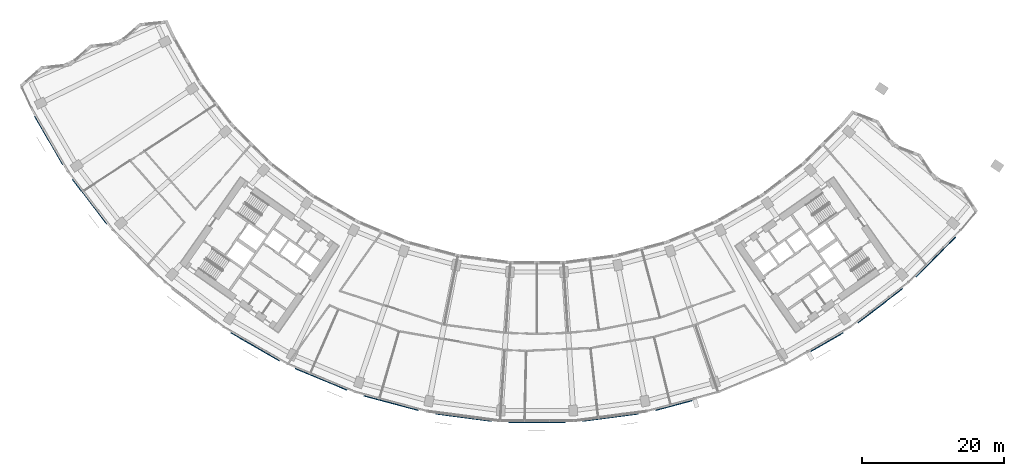
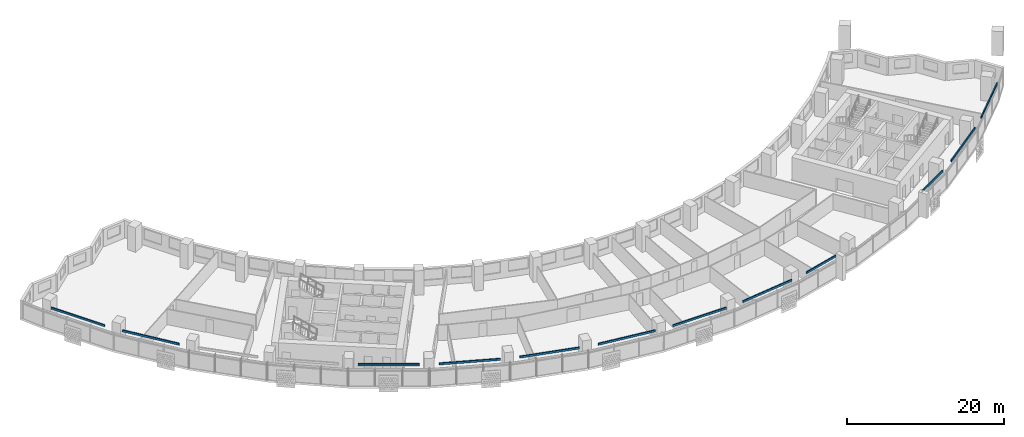
# One storey, part 9 of 29: 12 discrete accessories.
"""IFC4 building model written with IfcOpenShell, lengths in metres."""

from ifc_helpers import new_model, si_unit, direction, frame, origin, origin_2d, place, context, subcontext, project, spatial, rectangle, extrude, material, type_object, element, save


model = new_model("IFC4")

# Units and contexts
model_context = context("Model", 3, precision=1e-05, world=origin(), true_north=direction((0.0, 1.0)))
body_context = subcontext(model_context, "Body", "Model", "MODEL_VIEW")
ifc_project = project(units=[si_unit("LENGTHUNIT", "METRE"), si_unit("AREAUNIT", "SQUARE_METRE"), si_unit("VOLUMEUNIT", "CUBIC_METRE"), si_unit("PLANEANGLEUNIT", "RADIAN"), si_unit("MASSUNIT", "GRAM", prefix="KILO")], contexts=[model_context])

# Site, building, storey
site_placement = place(None, origin())
site = spatial("IfcSite", under=ifc_project, at=site_placement, CompositionType="ELEMENT")
building_placement = place(site_placement, origin())
building = spatial("IfcBuilding", under=site, at=building_placement, Name="Qamariyya Broadcast Tower", CompositionType="ELEMENT")
storey_placement = place(building_placement, frame((0.0, 0.0, 136.699951171875)))
storey = spatial("IfcBuildingStorey", under=building, at=storey_placement, Name="L31", CompositionType="ELEMENT", Elevation=136.699951171875)

# Discrete accessories
ifc_material = material(Name="Stainless steel 316", Category="steel")
discrete_accessory_type = type_object("IfcDiscreteAccessoryType", Name="Slab edge fixing angle, stainless steel", PredefinedType="BRACKET", material=ifc_material)
for number, where, z_axis, x_axis, name in (
    (1, (-68.59375, -39.6025390625, 3.2998046875), (0.0, 0.0, 1.0), (0.5, -0.866025403784, 0.0), "e-br-L31-01-0"),
    (2, (-62.837646484375, -48.217041015625, 3.2998046875), (0.0, 0.0, 1.0), (0.608761429009, -0.793353340291, 0.0), "e-br-L31-02-0"),
    (3, (-39.6025390625, -68.59375, 3.2998046875), (0.0, 0.0, 1.0), (0.866025403784, -0.5, 0.0), "e-br-L31-05-0"),
    (4, (-30.310546875, -73.176025390625, 3.2998046875), (0.0, 0.0, 1.0), (0.923879532511, -0.382683432365, 0.0), "e-br-L31-06-0"),
    (5, (-20.499755859375, -76.50634765625, 3.2998046875), (0.0, 0.0, 1.0), (0.965925826289, -0.258819045103, 0.0), "e-br-L31-07-0"),
    (6, (-10.33837890625, -78.527587890625, 3.2998046875), (0.0, 0.0, 1.0), (0.991444861374, -0.13052619222, 0.0), "e-br-L31-08-0"),
    (7, (0.0, -79.205322265625, 3.2998046875), (0.0, 0.0, 1.0), (1.0, 0.0, 0.0), "e-br-L31-09-0"),
    (8, (10.33837890625, -78.527587890625, 3.2998046875), (0.0, 0.0, 1.0), (0.991444861374, 0.13052619222, 0.0), "e-br-L31-10-0"),
):
    element("IfcDiscreteAccessory", number, at=place(storey_placement, frame(where, z_axis=z_axis, x_axis=x_axis)), inside=storey, type_object=discrete_accessory_type, Name=name, PredefinedType="BRACKET", context=body_context, shape_type="SweptSolid", body=[
        extrude(rectangle(XDim=7.879638671875, YDim=0.14990234375, at=origin_2d()), origin(), (0.0, 0.0, 1.0), 0.300048828125),
    ])
for number, where, z_axis, x_axis, name in (
    (9, (19.247314453125, -76.842041015625, 3.2998046875), (0.0, 0.0, 1.0), (0.965925826289, 0.258819045103, 0.0), "e-br-L31-11-0"),
    (10, (40.7255859375, -67.9453125, 3.2998046875), (0.0, 0.0, 1.0), (0.866025403784, 0.5, 0.0), "e-br-L31-13-0"),
):
    element("IfcDiscreteAccessory", number, at=place(storey_placement, frame(where, z_axis=z_axis, x_axis=x_axis)), inside=storey, type_object=discrete_accessory_type, Name=name, PredefinedType="BRACKET", context=body_context, shape_type="SweptSolid", body=[
        extrude(rectangle(XDim=5.286376953125, YDim=0.14990234375, at=origin_2d()), origin(), (0.0, 0.0, 1.0), 0.300048828125),
    ])
for number, where, z_axis, x_axis, name in (
    (11, (48.217041015625, -62.837646484375, 3.2998046875), (0.0, 0.0, 1.0), (0.793353340291, 0.608761429009, 0.0), "e-br-L31-14-0"),
    (12, (56.006591796875, -56.006591796875, 3.2998046875), (0.0, 0.0, 1.0), (0.707106781187, 0.707106781187, 0.0), "e-br-L31-15-0"),
):
    element("IfcDiscreteAccessory", number, at=place(storey_placement, frame(where, z_axis=z_axis, x_axis=x_axis)), inside=storey, type_object=discrete_accessory_type, Name=name, PredefinedType="BRACKET", context=body_context, shape_type="SweptSolid", body=[
        extrude(rectangle(XDim=7.879638671875, YDim=0.14990234375, at=origin_2d()), origin(), (0.0, 0.0, 1.0), 0.300048828125),
    ])

save(model, "model.ifc")
